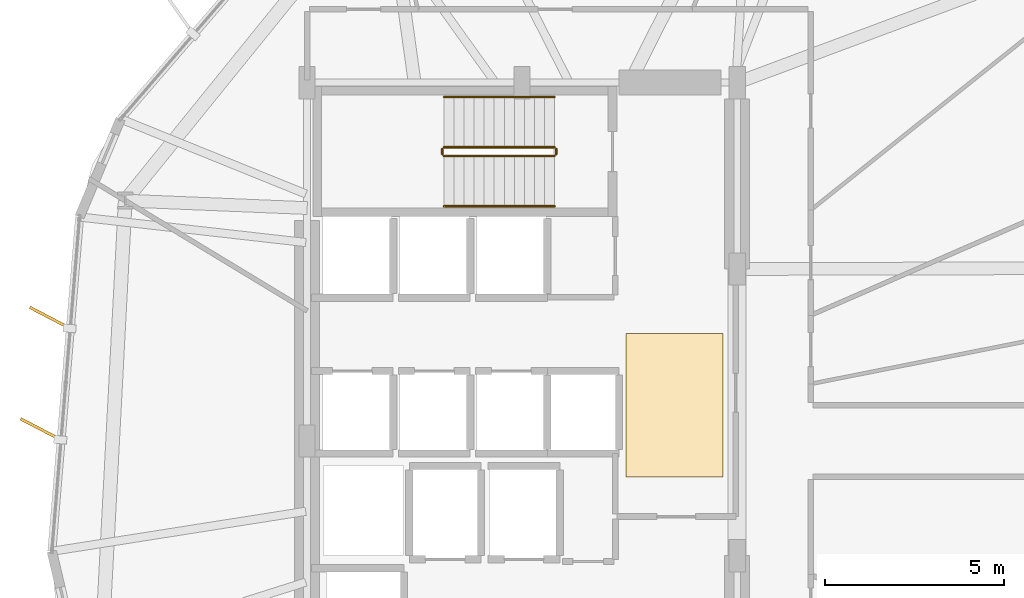
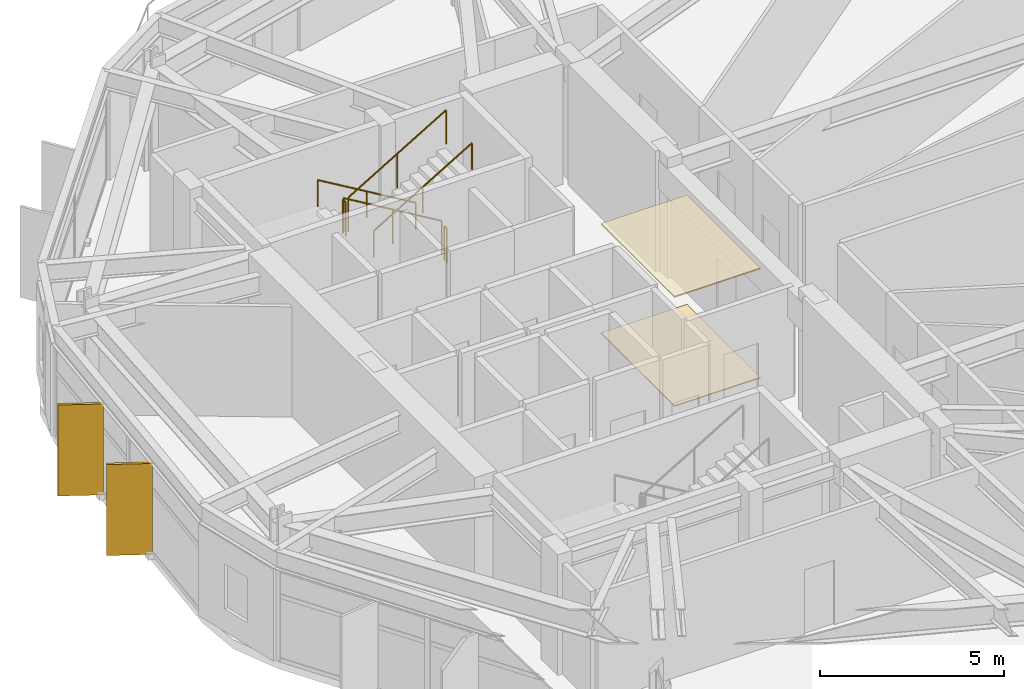
# One storey, part 20 of 21: 6 railings, 2 coverings, 2 shading devices.
"""IFC4 building model written with IfcOpenShell, lengths in metres."""

from ifc_helpers import new_model, si_unit, direction, frame, origin, origin_2d, place, context, subcontext, project, spatial, polyline, rectangle, circle, outline, extrude, material, layer, layer_set, type_object, element, save


model = new_model("IFC4")

# Units and contexts
model_context = context("Model", 3, precision=1e-05, world=origin(), true_north=direction((0.0, 1.0)))
body_context = subcontext(model_context, "Body", "Model", "MODEL_VIEW")
ifc_project = project(units=[si_unit("LENGTHUNIT", "METRE"), si_unit("AREAUNIT", "SQUARE_METRE"), si_unit("VOLUMEUNIT", "CUBIC_METRE"), si_unit("PLANEANGLEUNIT", "RADIAN"), si_unit("MASSUNIT", "GRAM", prefix="KILO")], contexts=[model_context])

# Site, building, storey
site_placement = place(None, origin())
site = spatial("IfcSite", under=ifc_project, at=site_placement, CompositionType="ELEMENT")
building_placement = place(site_placement, origin())
building = spatial("IfcBuilding", under=site, at=building_placement, Name="Soratama Intermodal Tower", CompositionType="ELEMENT")
storey_placement = place(building_placement, frame((0.0, 0.0, 78.60009765625)))
storey = spatial("IfcBuildingStorey", under=building, at=storey_placement, Name="L18", CompositionType="ELEMENT", Elevation=78.60009765625)

# Coverings
ifc_material_1 = material(Name="Perforated mineral acoustic ceiling", Category="concrete")
ifc_layer_1 = layer(ifc_material_1, 0.0400390625)
ifc_layer_set_1 = layer_set([ifc_layer_1], Name="Perforated mineral acoustic ceiling")
covering_type_1 = type_object("IfcCoveringType", Name="CV-CEIL-ACOUSTIC", PredefinedType="CEILING", material=ifc_layer_set_1)
covering_1_placement = place(storey_placement, frame((0.0, 0.0, 3.619873046875)))
element("IfcCovering", 1, at=covering_1_placement, inside=storey, type_object=covering_type_1, Name="L18 Acoustic Ceiling", PredefinedType="CEILING", context=body_context, shape_type="SweptSolid", body=[
    extrude(outline(polyline([(41.5, 24.0), (44.199951171875, 24.0), (44.199951171875, 28.0), (41.5, 28.0), (41.5, 24.0)])), origin(), (0.0, 0.0, 1.0), 0.0400390625),
])
ifc_material_2 = material(Name="Polished Andean stone terrazzo flooring", Category="masonry")
ifc_layer_2 = layer(ifc_material_2, 0.030029296875)
ifc_layer_set_2 = layer_set([ifc_layer_2], Name="Polished Andean stone terrazzo flooring")
covering_type_2 = type_object("IfcCoveringType", Name="CV-FLOR-TERRAZZO", PredefinedType="FLOORING", material=ifc_layer_set_2)
covering_2_placement = place(storey_placement, origin())
element("IfcCovering", 2, at=covering_2_placement, inside=storey, type_object=covering_type_2, Name="L18 Lobby Terrazzo Flooring", PredefinedType="FLOORING", context=body_context, shape_type="SweptSolid", body=[
    extrude(outline(polyline([(41.5, 24.0), (44.199951171875, 24.0), (44.199951171875, 28.0), (41.5, 28.0), (41.5, 24.0)])), origin(), (0.0, 0.0, 1.0), 0.02978515625),
])

# Railings
ifc_material_3 = material(Name="Painted steel stair guardrail", Category="steel")
railing_type_1 = type_object("IfcRailingType", Name="RL-STAIR-GUARD", PredefinedType="GUARDRAIL", material=ifc_material_3)
railing_1_placement = place(storey_placement, frame((39.5, 33.199951171875, 0.16650390625)))
element("IfcRailing", 3, at=railing_1_placement, inside=storey, type_object=railing_type_1, Name="L18 ST-2 stair guard 1", PredefinedType="GUARDRAIL", context=body_context, shape_type="SweptSolid", body=[
    extrude(circle(Radius=0.02392578125, at=origin_2d()), frame((0.0, 0.0, 1.1259765625), z_axis=(-0.85927862911, 0.0, 0.511507807912), x_axis=(0.0, -1.0, 0.0)), (0.0, 0.0, 1.0), 3.58447265625),
    extrude(circle(Radius=0.02099609375, at=origin_2d()), origin(), (0.0, 0.0, 1.0), 1.101806640625),
    extrude(circle(Radius=0.02099609375, at=origin_2d()), frame((-1.5400390625, 0.0, 0.916748046875)), (0.0, 0.0, 1.0), 1.101806640625),
    extrude(circle(Radius=0.02099609375, at=origin_2d()), frame((-3.080078125, 0.0, 1.83349609375)), (0.0, 0.0, 1.0), 1.101806640625),
])
railing_2_placement = place(storey_placement, frame((36.3701171875, 33.14990234375, 2.0)))
element("IfcRailing", 4, at=railing_2_placement, inside=storey, type_object=railing_type_1, Name="L18 ST-2 stair guard 2", PredefinedType="GUARDRAIL", context=body_context, shape_type="SweptSolid", body=[
    extrude(circle(Radius=0.02392578125, at=origin_2d()), frame((0.0, 0.0, 1.1259765625), z_axis=(0.0, -1.0, 0.0), x_axis=(1.0, 0.0, 0.0)), (0.0, 0.0, 1.0), 0.14990234375),
    extrude(circle(Radius=0.02099609375, at=origin_2d()), origin(), (0.0, 0.0, 1.0), 1.101806640625),
    extrude(circle(Radius=0.02099609375, at=origin_2d()), frame((0.0, -0.14990234375, 0.0)), (0.0, 0.0, 1.0), 1.101806640625),
])
railing_3_placement = place(storey_placement, frame((36.419921875, 32.949951171875, 2.16650390625)))
element("IfcRailing", 5, at=railing_3_placement, inside=storey, type_object=railing_type_1, Name="L18 ST-2 stair guard 3", PredefinedType="GUARDRAIL", context=body_context, shape_type="SweptSolid", body=[
    extrude(circle(Radius=0.02392578125, at=origin_2d()), frame((0.0, 0.0, 1.1259765625), z_axis=(0.85927862911, 0.0, 0.511507807912), x_axis=(0.0, 1.0, 0.0)), (0.0, 0.0, 1.0), 3.58447265625),
    extrude(circle(Radius=0.02099609375, at=origin_2d()), origin(), (0.0, 0.0, 1.0), 1.101806640625),
    extrude(circle(Radius=0.02099609375, at=origin_2d()), frame((1.5400390625, 0.0, 0.916748046875)), (0.0, 0.0, 1.0), 1.101806640625),
    extrude(circle(Radius=0.02099609375, at=origin_2d()), frame((3.080078125, 0.0, 1.83349609375)), (0.0, 0.0, 1.0), 1.101806640625),
])
railing_4_placement = place(storey_placement, frame((39.550048828125, 33.14990234375, 0.0)))
element("IfcRailing", 6, at=railing_4_placement, inside=storey, type_object=railing_type_1, Name="L18 ST-2 stair guard 4", PredefinedType="GUARDRAIL", context=body_context, shape_type="SweptSolid", body=[
    extrude(circle(Radius=0.02392578125, at=origin_2d()), frame((0.0, 0.0, 1.1259765625), z_axis=(0.0, -1.0, 0.0), x_axis=(1.0, 0.0, 0.0)), (0.0, 0.0, 1.0), 0.14990234375),
    extrude(circle(Radius=0.02099609375, at=origin_2d()), origin(), (0.0, 0.0, 1.0), 1.101806640625),
    extrude(circle(Radius=0.02099609375, at=origin_2d()), frame((0.0, -0.14990234375, 0.0)), (0.0, 0.0, 1.0), 1.101806640625),
])
ifc_material_4 = material(Name="Brushed stainless steel handrail", Category="steel")
railing_type_2 = type_object("IfcRailingType", Name="RL-STAIR-HAND", PredefinedType="HANDRAIL", material=ifc_material_4)
railing_5_placement = place(storey_placement, frame((39.5, 34.60009765625, 0.16650390625)))
element("IfcRailing", 7, at=railing_5_placement, inside=storey, type_object=railing_type_2, Name="L18 ST-2 stair handrail 1", PredefinedType="HANDRAIL", context=body_context, shape_type="SweptSolid", body=[
    extrude(circle(Radius=0.02392578125, at=origin_2d()), frame((0.0, 0.0, 0.8759765625), z_axis=(-0.85927862911, 0.0, 0.511507807912), x_axis=(0.0, -1.0, 0.0)), (0.0, 0.0, 1.0), 3.58447265625),
    extrude(circle(Radius=0.02099609375, at=origin_2d()), origin(), (0.0, 0.0, 1.0), 0.851806640625),
    extrude(circle(Radius=0.02099609375, at=origin_2d()), frame((-1.5400390625, 0.0, 0.916748046875)), (0.0, 0.0, 1.0), 0.851806640625),
    extrude(circle(Radius=0.02099609375, at=origin_2d()), frame((-3.080078125, 0.0, 1.83349609375)), (0.0, 0.0, 1.0), 0.851806640625),
])
railing_6_placement = place(storey_placement, frame((36.419921875, 31.550048828125, 2.16650390625)))
element("IfcRailing", 8, at=railing_6_placement, inside=storey, type_object=railing_type_2, Name="L18 ST-2 stair handrail 2", PredefinedType="HANDRAIL", context=body_context, shape_type="SweptSolid", body=[
    extrude(circle(Radius=0.02392578125, at=origin_2d()), frame((0.0, 0.0, 0.8759765625), z_axis=(0.85927862911, 0.0, 0.511507807912), x_axis=(0.0, 1.0, 0.0)), (0.0, 0.0, 1.0), 3.58447265625),
    extrude(circle(Radius=0.02099609375, at=origin_2d()), origin(), (0.0, 0.0, 1.0), 0.851806640625),
    extrude(circle(Radius=0.02099609375, at=origin_2d()), frame((1.5400390625, 0.0, 0.916748046875)), (0.0, 0.0, 1.0), 0.851806640625),
    extrude(circle(Radius=0.02099609375, at=origin_2d()), frame((3.080078125, 0.0, 1.83349609375)), (0.0, 0.0, 1.0), 0.851806640625),
])

# Shading devices
ifc_material_5 = material(Name="Champagne anodised aluminium solar fin", Category="aluminium")
ifc_layer_3 = layer(ifc_material_5, 0.080078125)
ifc_layer_set_3 = layer_set([ifc_layer_3], Name="Champagne anodised aluminium solar fin")
shading_device_type = type_object("IfcShadingDeviceType", Name="SH-FIN-1250", PredefinedType="USERDEFINED", material=ifc_layer_set_3)
for number, where, z_axis, x_axis, name in (
    (9, (25.4169921875, 28.4404296875, 0.019775390625), (0.0, 0.0, 1.0), (-0.886526804891, 0.462677235456, 0.0), "L18 Solar Fin F05-1"),
    (10, (25.1591796875, 25.33056640625, 0.019775390625), (0.0, 0.0, 1.0), (-0.886526804891, 0.462677235456, 0.0), "L18 Solar Fin F05-2"),
):
    element("IfcShadingDevice", number, at=place(storey_placement, frame(where, z_axis=z_axis, x_axis=x_axis)), inside=storey, type_object=shading_device_type, Name=name, ObjectType="FIN", PredefinedType="USERDEFINED", context=body_context, shape_type="SweptSolid", body=[
        extrude(rectangle(XDim=1.25, YDim=0.080078125, at=origin_2d()), origin(), (0.0, 0.0, 1.0), 3.01904296875),
    ])

save(model, "model.ifc")
